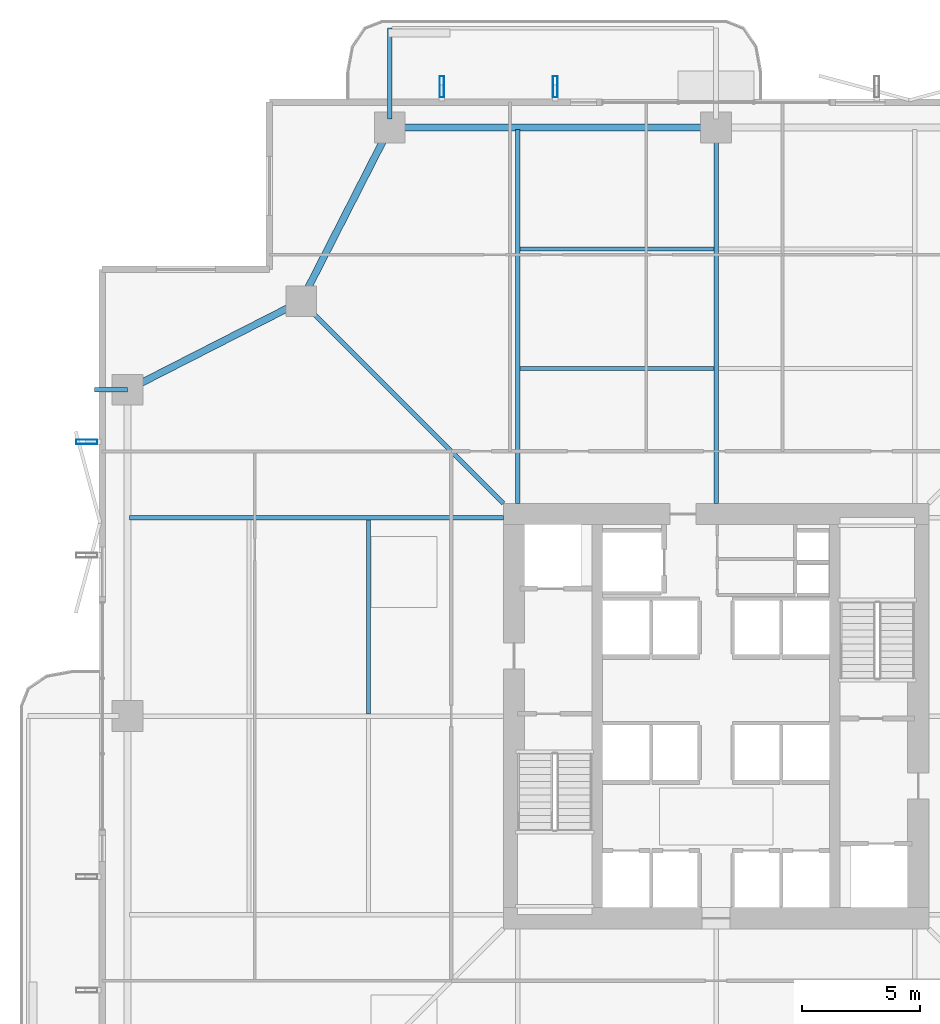
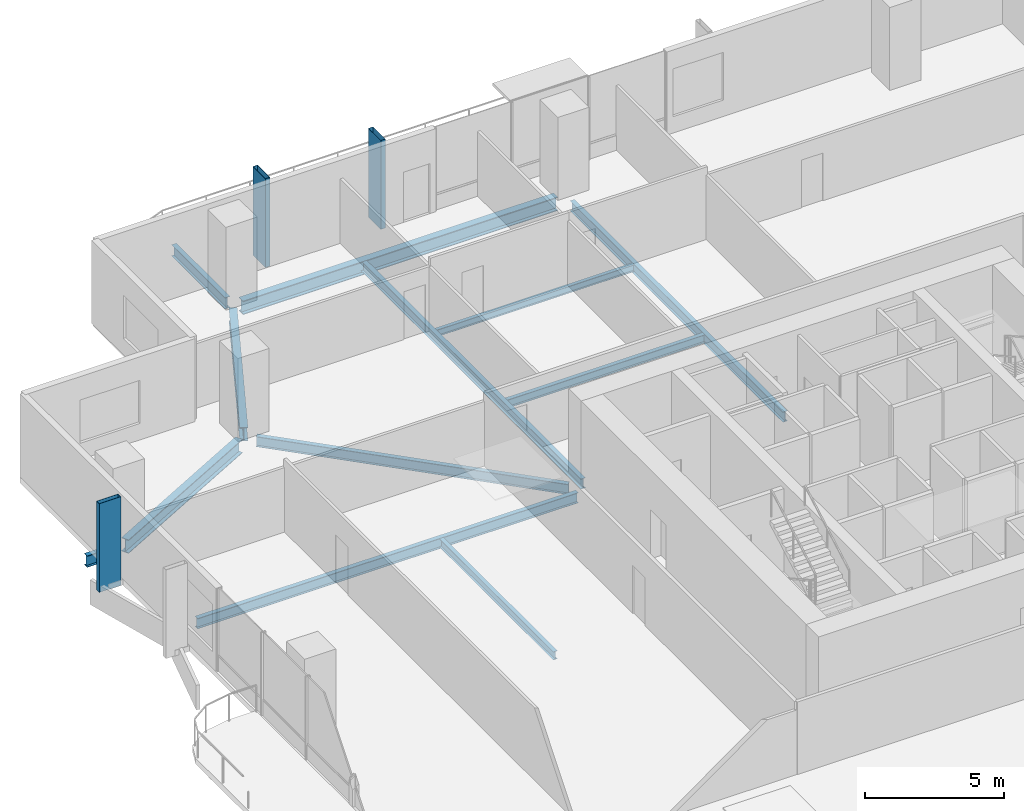
# One storey, part 10 of 24: 12 beams, 3 members.
"""IFC4 building model written with IfcOpenShell, lengths in metres."""

import ifcopenshell
import ifcopenshell.guid

model = None  # the IFC model being written
_history = None  # IfcOwnerHistory: only IFC2X3 demands one
_inside = {}  # id of a spatial element -> (the spatial element, [elements in it])
_under = {}  # id of a project, library or spatial element -> (it, [spatial elements below it])
_declared = {}  # id of a project -> (the project, [libraries it declares])
_typed = {}  # id of a type object -> (the type object, [elements of that type])
_made_of = {}  # id of a material, layer set ... -> (it, [elements and type objects made of it])


def new_model(schema):
    """Start an empty IFC model of exactly this schema.

    Asked for "IFC4X3", IfcOpenShell would pick the latest addendum, in which some entities
    have other attributes; the version numbers below select the first issue.
    IFC2X3 requires an IfcOwnerHistory on every rooted entity: one is made here for all.
    """
    global model, _history
    if schema == "IFC4X3":
        model = ifcopenshell.file(schema_version=(4, 3, 0, 0))
    else:
        model = ifcopenshell.file(schema=schema)
    _inside.clear()
    _under.clear()
    _declared.clear()
    _typed.clear()
    _made_of.clear()
    _history = None
    if model.schema == "IFC2X3":
        org = make("IfcOrganization", Name="unknown")
        user = make(
            "IfcPersonAndOrganization",
            ThePerson=make("IfcPerson", FamilyName="unknown"),
            TheOrganization=org,
        )
        app = make(
            "IfcApplication",
            ApplicationDeveloper=org,
            Version="unknown",
            ApplicationFullName="unknown",
            ApplicationIdentifier="unknown",
        )
        _history = make(
            "IfcOwnerHistory",
            OwningUser=user,
            OwningApplication=app,
            ChangeAction="ADDED",
            CreationDate=0,
        )
    return model


def make(cls, **values):
    """One entity of the class cls with the attributes given. An attribute that is None is left unset."""
    return model.create_entity(
        cls, **{name: value for name, value in values.items() if value is not None}
    )


def rooted(cls, **values):
    """An entity with a GlobalId (a new one), such as an element, a storey or a relation."""
    return make(cls, GlobalId=ifcopenshell.guid.new(), OwnerHistory=_history, **values)


def si_unit(unit_type, name, prefix=None):
    """IfcSIUnit, for example si_unit("LENGTHUNIT", "METRE", prefix="MILLI")."""
    return make("IfcSIUnit", UnitType=unit_type, Prefix=prefix, Name=name)


def assignment(units):
    """IfcUnitAssignment: the units of a project."""
    return None if units is None else make("IfcUnitAssignment", Units=units)


def point(xyz):
    """IfcCartesianPoint."""
    return None if xyz is None else make("IfcCartesianPoint", Coordinates=xyz)


def direction(xyz):
    """IfcDirection."""
    return None if xyz is None else make("IfcDirection", DirectionRatios=xyz)


def frame(location, z_axis=None, x_axis=None):
    """IfcAxis2Placement3D, a coordinate frame: its origin and axes. An axis left out is left unset."""
    return make(
        "IfcAxis2Placement3D",
        Location=point(location),
        Axis=direction(z_axis),
        RefDirection=direction(x_axis),
    )


def frame_2d(location, x_axis=None):
    """IfcAxis2Placement2D, a coordinate frame in the plane: its origin and x axis."""
    return make(
        "IfcAxis2Placement2D", Location=point(location), RefDirection=direction(x_axis)
    )


def origin():
    """The frame at (0, 0, 0) with its axes left unset."""
    return frame((0.0, 0.0, 0.0))


def origin_2d():
    """The frame at (0, 0) in the plane with its x axis left unset."""
    return frame_2d((0.0, 0.0))


def place(relative_to, where):
    """IfcLocalPlacement: puts the frame where relative to a parent placement (None: the world)."""
    return make(
        "IfcLocalPlacement", PlacementRelTo=relative_to, RelativePlacement=where
    )


def context(
    kind, dimensions, precision=None, world=None, true_north=None, identifier=None
):
    """IfcGeometricRepresentationContext, for example the 3D "Model" context."""
    return make(
        "IfcGeometricRepresentationContext",
        ContextIdentifier=identifier,
        ContextType=kind,
        CoordinateSpaceDimension=dimensions,
        Precision=precision,
        WorldCoordinateSystem=world,
        TrueNorth=true_north,
    )


def subcontext(parent, identifier, kind, view, scale=None):
    """IfcGeometricRepresentationSubContext, for example "Body" below "Model"."""
    return make(
        "IfcGeometricRepresentationSubContext",
        ContextIdentifier=identifier,
        ContextType=kind,
        ParentContext=parent,
        TargetScale=scale,
        TargetView=view,
    )


def project(units=None, contexts=None):
    """IfcProject with its units and contexts."""
    return rooted(
        "IfcProject",
        Name="project",
        RepresentationContexts=contexts,
        UnitsInContext=assignment(units),
    )


def spatial(cls, under=None, at=None, **own):
    """A site, building, storey or space (cls), placed at a placement, below another one or the project."""
    s = rooted(cls, ObjectPlacement=at, **own)
    if under is not None:
        _under.setdefault(under.id(), (under, []))[1].append(s)
    return s


def profile(cls, at=None, kind="AREA", **sizes):
    """A parametric profile (cls). Its sizes go by their IFC names, for example OverallWidth=200.0."""
    return make(cls, ProfileType=kind, Position=at, **sizes)


def hollow_rectangle(**sizes):
    """IfcRectangleHollowProfileDef."""
    return profile("IfcRectangleHollowProfileDef", **sizes)


def i_section(**sizes):
    """IfcIShapeProfileDef."""
    return profile("IfcIShapeProfileDef", **sizes)


def extrude(swept, where, along, depth):
    """IfcExtrudedAreaSolid: the profile swept, set in the frame where, extruded along a direction by depth."""
    return make(
        "IfcExtrudedAreaSolid",
        SweptArea=swept,
        Position=where,
        ExtrudedDirection=direction(along),
        Depth=depth,
    )


def shape(context_of_items, identifier, shape_type, items):
    """IfcShapeRepresentation: the items that make up one representation, for example the "Body"."""
    return make(
        "IfcShapeRepresentation",
        ContextOfItems=context_of_items,
        RepresentationIdentifier=identifier,
        RepresentationType=shape_type,
        Items=items,
    )


def material(Name=None, Category=None):
    """IfcMaterial."""
    return make("IfcMaterial", Name=Name, Category=Category)


def material_profile(
    of_material, cross_section, Name=None, Category=None, Priority=None
):
    """IfcMaterialProfile: a cross section and its material."""
    return make(
        "IfcMaterialProfile",
        Name=Name,
        Material=of_material,
        Profile=cross_section,
        Priority=Priority,
        Category=Category,
    )


def profile_set(profiles, Name=None, composite=None):
    """IfcMaterialProfileSet."""
    return make(
        "IfcMaterialProfileSet",
        Name=Name,
        MaterialProfiles=profiles,
        CompositeProfile=composite,
    )


def made_of(thing, what):
    """Note that an element or type object is made of a material, layer set ...; save() writes the relation."""
    if what is not None:
        _made_of.setdefault(what.id(), (what, []))[1].append(thing)
    return thing


def type_object(cls, material=None, **own):
    """A type object (cls), such as IfcWallType, which elements share."""
    return made_of(rooted(cls, **own), material)


def element(
    cls,
    number,
    at=None,
    inside=None,
    cuts=None,
    type_object=None,
    material=None,
    context=None,
    identifier="Body",
    shape_type=None,
    held_by="IfcProductDefinitionShape",
    body=None,
    shapes=None,
    **own,
):
    """One element of the class cls, such as IfcWall. Its Tag is "e" and its number.

    at: its placement. inside: the storey or other place that contains it. cuts: it is an
    opening in that element (IfcRelVoidsElement). A single representation is given by context,
    identifier, shape_type and body (its items); several are given by shapes. held_by: the class
    of the entity that holds the representations. save() writes the other relations.
    """
    e = rooted(cls, Tag="e%d" % number, ObjectPlacement=at, **own)
    if body is not None:
        shapes = [shape(context, identifier, shape_type, body)]
    if shapes is not None:
        e.Representation = make(held_by, Representations=shapes)
    if inside is not None:
        _inside.setdefault(inside.id(), (inside, []))[1].append(e)
    if cuts is not None:
        rooted(
            "IfcRelVoidsElement", RelatingBuildingElement=cuts, RelatedOpeningElement=e
        )
    if type_object is not None:
        _typed.setdefault(type_object.id(), (type_object, []))[1].append(e)
    return made_of(e, material)


def aggregate(whole, parts):
    """IfcRelAggregates: a whole, such as a stair, and the parts it consists of."""
    return rooted("IfcRelAggregates", RelatingObject=whole, RelatedObjects=parts)


def save(model, path):
    """Write the relations noted so far, then the file.

    IfcRelAggregates (storeys below a building ...), IfcRelContainedInSpatialStructure (elements
    in a storey), IfcRelDefinesByType, IfcRelAssociatesMaterial and IfcRelDeclares: one each for
    every whole, place, type object, material and project.
    """
    for whole, parts in _under.values():
        aggregate(whole, parts)
    for where, things in _inside.values():
        rooted(
            "IfcRelContainedInSpatialStructure",
            RelatedElements=things,
            RelatingStructure=where,
        )
    for kind, things in _typed.values():
        rooted("IfcRelDefinesByType", RelatedObjects=things, RelatingType=kind)
    for what, things in _made_of.values():
        rooted("IfcRelAssociatesMaterial", RelatedObjects=things, RelatingMaterial=what)
    for by, libraries in _declared.values():
        rooted("IfcRelDeclares", RelatingContext=by, RelatedDefinitions=libraries)
    model.write(path)


model = new_model("IFC4")

# Units and contexts
model_context = context("Model", 3, precision=1e-05, world=origin(), true_north=direction((0.0, 1.0)))
body_context = subcontext(model_context, "Body", "Model", "MODEL_VIEW")
ifc_project = project(units=[si_unit("LENGTHUNIT", "METRE"), si_unit("AREAUNIT", "SQUARE_METRE"), si_unit("VOLUMEUNIT", "CUBIC_METRE"), si_unit("PLANEANGLEUNIT", "RADIAN"), si_unit("MASSUNIT", "GRAM", prefix="KILO")], contexts=[model_context])

# Site, building, storey
site_placement = place(None, origin())
site = spatial("IfcSite", under=ifc_project, at=site_placement, CompositionType="ELEMENT")
building_placement = place(site_placement, origin())
building = spatial("IfcBuilding", under=site, at=building_placement, Name="Belovzor Exchange Tower", CompositionType="ELEMENT")
storey_placement = place(building_placement, frame((0.0, 0.0, 129.0)))
storey = spatial("IfcBuildingStorey", under=building, at=storey_placement, Name="L31", CompositionType="ELEMENT", Elevation=129.0)

# Beams
ifc_material_1 = material(Name="Steel S355", Category="steel")
ifc_material_profile_1 = material_profile(ifc_material_1, i_section(OverallWidth=0.199951171875, OverallDepth=0.5, WebThickness=0.01025390625, FlangeThickness=0.01611328125, at=origin_2d()))
ifc_profile_set_1 = profile_set([ifc_material_profile_1], Name="Steel S355")
beam_type_1 = type_object("IfcBeamType", Name="Planted Balcony Cantilever Beam IPE 500", PredefinedType="BEAM", material=ifc_profile_set_1)
beam_1_placement = place(storey_placement, frame((15.0, 54.05810546875, -0.5), z_axis=(0.0, 1.0, 0.0), x_axis=(-1.0, 0.0, 0.0)))
element("IfcBeam", 1, at=beam_1_placement, inside=storey, type_object=beam_type_1, Name="BC-500 Planted Balcony Cantilever Beam IPE 500", PredefinedType="BEAM", context=body_context, shape_type="SweptSolid", body=[
    extrude(i_section(OverallWidth=0.199951171875, OverallDepth=0.5, WebThickness=0.01025390625, FlangeThickness=0.01611328125, at=origin_2d()), origin(), (0.0, 0.0, 1.0), 3.849853515625),
])
beam_2_placement = place(storey_placement, frame((3.89990234375, 42.60009765625, -0.5), z_axis=(-1.0, 0.0, 0.0), x_axis=(0.0, -1.0, 0.0)))
element("IfcBeam", 2, at=beam_2_placement, inside=storey, type_object=beam_type_1, Name="BC-500 Planted Balcony Cantilever Beam IPE 500", PredefinedType="BEAM", context=body_context, shape_type="SweptSolid", body=[
    extrude(i_section(OverallWidth=0.199951171875, OverallDepth=0.5, WebThickness=0.01025390625, FlangeThickness=0.01611328125, at=origin_2d()), origin(), (0.0, 0.0, 1.0), 1.39990234375),
])
ifc_material_2 = material(Name="Steel S355", Category="steel")
ifc_material_profile_2 = material_profile(ifc_material_2, i_section(OverallWidth=0.169921875, OverallDepth=0.360107421875, WebThickness=0.008056640625, FlangeThickness=0.0126953125, at=origin_2d()))
ifc_profile_set_2 = profile_set([ifc_material_profile_2], Name="Steel S355")
beam_type_2 = type_object("IfcBeamType", Name="Secondary Infill Floor Joist IPE 360", PredefinedType="BEAM", material=ifc_profile_set_2)
for number, where, z_axis, x_axis, name in (
    (3, (20.4951171875, 43.4970703125, -0.429931640625), (1.0, 0.0, 0.0), (0.0, 1.0, 0.0), "FJ-360 Secondary Infill Floor Joist IPE 360"),
    (4, (14.10302734375, 28.89501953125, -0.429931640625), (0.0, 1.0, 0.0), (-1.0, 0.0, 0.0), "FJ-360 Secondary Infill Floor Joist IPE 360"),
):
    element("IfcBeam", number, at=place(storey_placement, frame(where, z_axis=z_axis, x_axis=x_axis)), inside=storey, type_object=beam_type_2, Name=name, PredefinedType="BEAM", context=body_context, shape_type="SweptSolid", body=[
        extrude(i_section(OverallWidth=0.169921875, OverallDepth=0.360107421875, WebThickness=0.008056640625, FlangeThickness=0.0126953125, at=origin_2d()), origin(), (0.0, 0.0, 1.0), 8.2099609375),
    ])
ifc_material_3 = material(Name="Steel S355", Category="steel")
ifc_material_profile_3 = material_profile(ifc_material_3, i_section(OverallWidth=0.14990234375, OverallDepth=0.300048828125, WebThickness=0.007080078125, FlangeThickness=0.0107421875, at=origin_2d()))
ifc_profile_set_3 = profile_set([ifc_material_profile_3], Name="Steel S355")
beam_type_3 = type_object("IfcBeamType", Name="Secondary Trim Floor Joist IPE 300", PredefinedType="BEAM", material=ifc_profile_set_3)
beam_3_placement = place(storey_placement, frame((20.4951171875, 48.56103515625, -0.39990234375), z_axis=(1.0, 0.0, 0.0), x_axis=(0.0, 1.0, 0.0)))
element("IfcBeam", 5, at=beam_3_placement, inside=storey, type_object=beam_type_3, Name="FJ-300 Secondary Trim Floor Joist IPE 300", PredefinedType="BEAM", context=body_context, shape_type="SweptSolid", body=[
    extrude(i_section(OverallWidth=0.14990234375, OverallDepth=0.300048828125, WebThickness=0.007080078125, FlangeThickness=0.0107421875, at=origin_2d()), origin(), (0.0, 0.0, 1.0), 8.2099609375),
])

# Members
ifc_material_4 = material(Name="Extruded Architectural Terracotta on Steel S355 Carrier", Category="masonry")
ifc_material_profile_4 = material_profile(ifc_material_4, hollow_rectangle(XDim=0.199951171875, YDim=0.89990234375, WallThickness=0.011962890625, at=origin_2d()))
ifc_profile_set_4 = profile_set([ifc_material_profile_4], Name="Extruded Architectural Terracotta on Steel S355 Carrier")
member_type = type_object("IfcMemberType", Name="Sweeping Terracotta Baguette Fin Assembly 1250", PredefinedType="USERDEFINED", material=ifc_profile_set_4)
for number, where, z_axis, x_axis, name in (
    (6, (17.199951171875, 55.425048828125, -0.25), (0.0, 0.0, 1.0), (1.0, 0.0, 0.0), "FIN-TC125 Terracotta Facade Fin L31 N1"),
    (7, (22.0, 55.425048828125, -0.25), (0.0, 0.0, 1.0), (1.0, 0.0, 0.0), "FIN-TC125 Terracotta Facade Fin L31 N2"),
    (8, (2.175048828125, 40.39990234375, -0.25), (0.0, 0.0, 1.0), (0.0, 1.0, 0.0), "FIN-TC125 Terracotta Facade Fin L31 W4"),
):
    element("IfcMember", number, at=place(storey_placement, frame(where, z_axis=z_axis, x_axis=x_axis)), inside=storey, type_object=member_type, Name=name, ObjectType="FIN", PredefinedType="USERDEFINED", context=body_context, shape_type="SweptSolid", body=[
        extrude(hollow_rectangle(XDim=0.199951171875, YDim=0.89990234375, WallThickness=0.011962890625, at=origin_2d()), origin(), (0.0, 0.0, 1.0), 3.89990234375),
    ])

# Beams
ifc_material_5 = material(Name="Steel S355", Category="steel")
ifc_material_profile_5 = material_profile(ifc_material_5, i_section(OverallWidth=0.300048828125, OverallDepth=0.60009765625, WebThickness=0.015380859375, FlangeThickness=0.030029296875, at=origin_2d()))
ifc_profile_set_5 = profile_set([ifc_material_profile_5], Name="Steel S355")
beam_type_4 = type_object("IfcBeamType", Name="Zone 2 Primary Perimeter Girder HEB 600", PredefinedType="BEAM", material=ifc_profile_set_5)
beam_4_placement = place(storey_placement, frame((28.44189453125, 53.699951171875, -0.550048828125), z_axis=(-1.0, 0.0, 0.0), x_axis=(0.0, -1.0, 0.0)))
element("IfcBeam", 9, at=beam_4_placement, inside=storey, type_object=beam_type_4, Name="FG-Z2 Zone 2 Primary Perimeter Girder HEB 600", PredefinedType="BEAM", context=body_context, shape_type="SweptSolid", body=[
    extrude(i_section(OverallWidth=0.300048828125, OverallDepth=0.60009765625, WebThickness=0.015380859375, FlangeThickness=0.030029296875, at=origin_2d()), origin(), (0.0, 0.0, 1.0), 13.0849609375),
])
for number, where, z_axis, x_axis, name in (
    (10, (14.837890625, 53.382080078125, -0.550048828125), (-0.454492894481, -0.890750362822, 0.0), (0.890750362822, -0.454492894481, 0.0), "FG-Z2 Zone 2 Primary Perimeter Girder HEB 600"),
    (11, (10.931884765625, 46.18798828125, -0.550048828125), (-0.890730558493, -0.454531706448, 0.0), (0.454531706448, -0.890730558493, 0.0), "FG-Z2 Zone 2 Primary Perimeter Girder HEB 600"),
):
    element("IfcBeam", number, at=place(storey_placement, frame(where, z_axis=z_axis, x_axis=x_axis)), inside=storey, type_object=beam_type_4, Name=name, PredefinedType="BEAM", context=body_context, shape_type="SweptSolid", body=[
        extrude(i_section(OverallWidth=0.300048828125, OverallDepth=0.60009765625, WebThickness=0.015380859375, FlangeThickness=0.030029296875, at=origin_2d()), origin(), (0.0, 0.0, 1.0), 7.53759765625),
    ])
ifc_material_6 = material(Name="Steel S355", Category="steel")
ifc_material_profile_6 = material_profile(ifc_material_6, i_section(OverallWidth=0.18994140625, OverallDepth=0.449951171875, WebThickness=0.009521484375, FlangeThickness=0.0146484375, at=origin_2d()))
ifc_profile_set_6 = profile_set([ifc_material_profile_6], Name="Steel S355")
beam_type_5 = type_object("IfcBeamType", Name="Zone 2-4 Radial Composite Floor Beam IPE 450", PredefinedType="BEAM", material=ifc_profile_set_6)
beam_5_placement = place(storey_placement, frame((20.39990234375, 37.800048828125, -0.47509765625), z_axis=(0.0, 1.0, 0.0), x_axis=(-1.0, 0.0, 0.0)))
element("IfcBeam", 12, at=beam_5_placement, inside=storey, type_object=beam_type_5, Name="FB-450 Zone 2-4 Radial Composite Floor Beam IPE 450", PredefinedType="BEAM", context=body_context, shape_type="SweptSolid", body=[
    extrude(i_section(OverallWidth=0.18994140625, OverallDepth=0.449951171875, WebThickness=0.009521484375, FlangeThickness=0.0146484375, at=origin_2d()), origin(), (0.0, 0.0, 1.0), 15.824951171875),
])
beam_6_placement = place(storey_placement, frame((28.800048828125, 37.800048828125, -0.47509765625), z_axis=(0.0, 1.0, 0.0), x_axis=(-1.0, 0.0, 0.0)))
element("IfcBeam", 13, at=beam_6_placement, inside=storey, type_object=beam_type_5, Name="FB-450 Zone 2-4 Radial Composite Floor Beam IPE 450", PredefinedType="BEAM", context=body_context, shape_type="SweptSolid", body=[
    extrude(i_section(OverallWidth=0.18994140625, OverallDepth=0.449951171875, WebThickness=0.009521484375, FlangeThickness=0.0146484375, at=origin_2d()), origin(), (0.0, 0.0, 1.0), 15.327880859375),
])
beam_7_placement = place(storey_placement, frame((19.800048828125, 37.199951171875, -0.47509765625), z_axis=(-1.0, 0.0, 0.0), x_axis=(0.0, -1.0, 0.0)))
element("IfcBeam", 14, at=beam_7_placement, inside=storey, type_object=beam_type_5, Name="FB-450 Zone 2-4 Radial Composite Floor Beam IPE 450", PredefinedType="BEAM", context=body_context, shape_type="SweptSolid", body=[
    extrude(i_section(OverallWidth=0.18994140625, OverallDepth=0.449951171875, WebThickness=0.009521484375, FlangeThickness=0.0146484375, at=origin_2d()), origin(), (0.0, 0.0, 1.0), 15.824951171875),
])
beam_8_placement = place(storey_placement, frame((19.800048828125, 37.800048828125, -0.47509765625), z_axis=(-0.707117275577, 0.70709628664, 0.0), x_axis=(-0.70709628664, -0.707117275577, 0.0)))
element("IfcBeam", 15, at=beam_8_placement, inside=storey, type_object=beam_type_5, Name="FB-450 Zone 2-4 Radial Composite Floor Beam IPE 450", PredefinedType="BEAM", context=body_context, shape_type="SweptSolid", body=[
    extrude(i_section(OverallWidth=0.18994140625, OverallDepth=0.449951171875, WebThickness=0.009521484375, FlangeThickness=0.0146484375, at=origin_2d()), origin(), (0.0, 0.0, 1.0), 11.6318359375),
])

save(model, "model.ifc")
